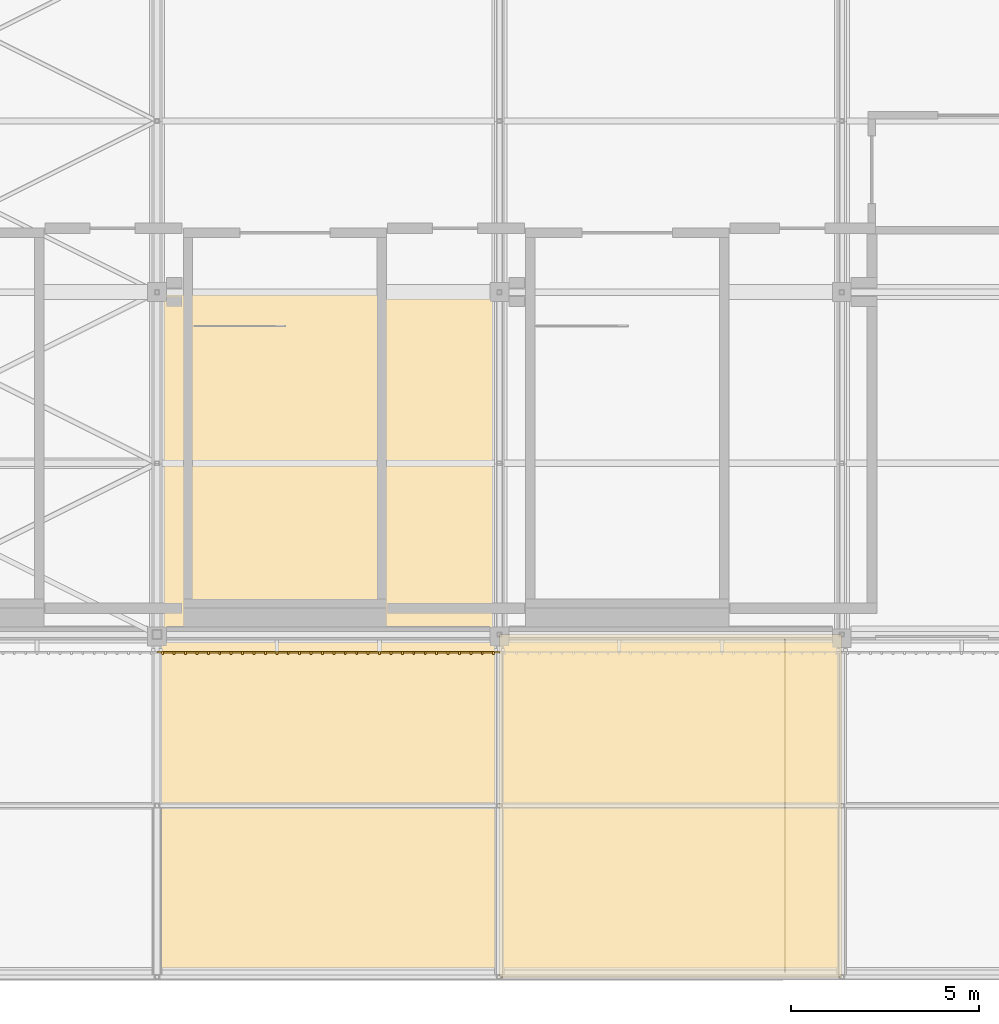
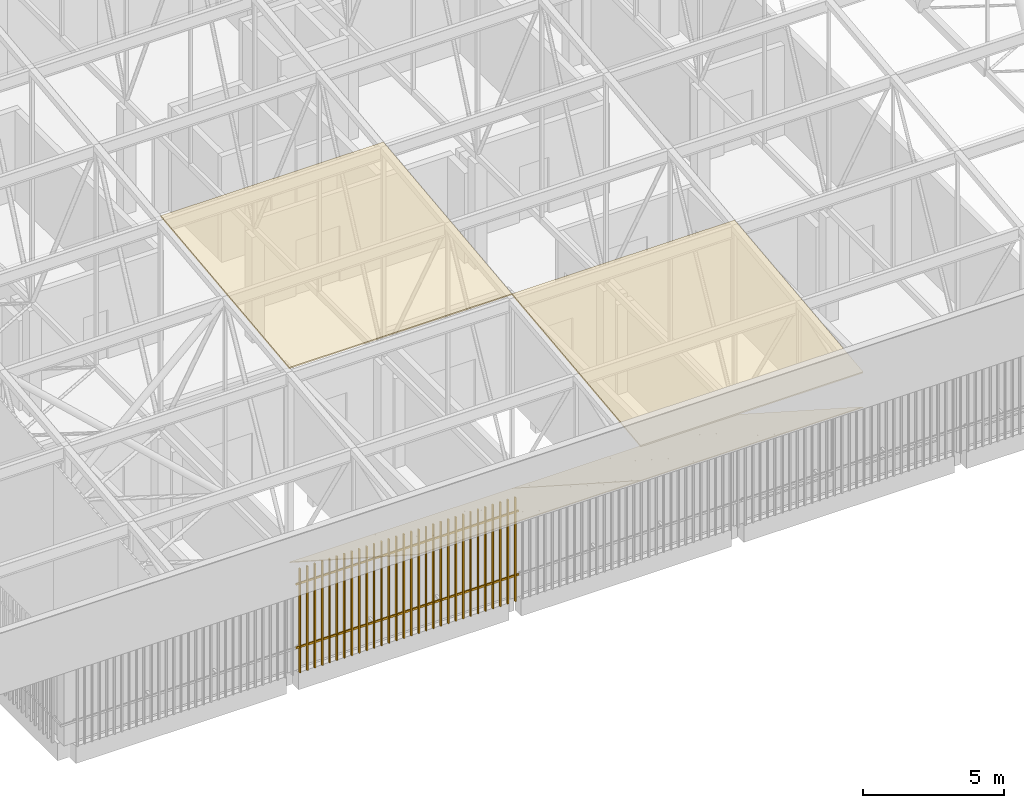
# One storey, part 457 of 500: 4 coverings, 1 shading device.
"""IFC4 building model written with IfcOpenShell, lengths in metres."""

from ifc_helpers import new_model, si_unit, direction, frame, origin, origin_2d, place, context, subcontext, project, spatial, polyline, rectangle, outline, extrude, material, layer, layer_set, type_object, element, save


model = new_model("IFC4")

# Units and contexts
model_context = context("Model", 3, precision=1e-05, world=origin(), true_north=direction((0.0, 1.0)))
body_context = subcontext(model_context, "Body", "Model", "MODEL_VIEW")
ifc_project = project(units=[si_unit("LENGTHUNIT", "METRE"), si_unit("AREAUNIT", "SQUARE_METRE"), si_unit("VOLUMEUNIT", "CUBIC_METRE"), si_unit("PLANEANGLEUNIT", "RADIAN"), si_unit("MASSUNIT", "GRAM", prefix="KILO")], contexts=[model_context])

# Site, building, storey
site_placement = place(None, origin())
site = spatial("IfcSite", under=ifc_project, at=site_placement, CompositionType="ELEMENT")
building_placement = place(site_placement, origin())
building = spatial("IfcBuilding", under=site, at=building_placement, Name="Shirokan Park Arena", CompositionType="ELEMENT")
storey_placement = place(building_placement, frame((0.0, 0.0, 29.1201171875)))
storey = spatial("IfcBuildingStorey", under=building, at=storey_placement, Name="L06", CompositionType="ELEMENT", Elevation=29.1201171875)

# Coverings
ifc_material_1 = material(Name="Bituminous roofing membrane")
ifc_layer_1 = layer(ifc_material_1, 0.010009765625, Name="Bituminous roofing membrane")
ifc_material_2 = material(Name="Mineral wool insulation")
ifc_layer_2 = layer(ifc_material_2, 0.050048828125, Name="Mineral wool insulation")
ifc_layer_set_1 = layer_set([ifc_layer_1, ifc_layer_2], Name="Bituminous roofing membrane + Mineral wool insulation")
covering_type_1 = type_object("IfcCoveringType", Name="Roofing membrane 60", PredefinedType="ROOFING", material=ifc_layer_set_1)
covering_1_placement = place(storey_placement, frame((9.10009765625, 0.0, 12.9306640625), z_axis=(0.0, -0.113549598152, 0.993532328996), x_axis=(1.0, 0.0, 0.0)))
element("IfcCovering", 1, at=covering_1_placement, inside=storey, type_object=covering_type_1, Name="Roofing", PredefinedType="ROOFING", context=body_context, shape_type="SweptSolid", body=[
    extrude(outline(polyline([(0.0, 0.0), (9.099853515625, 0.0), (9.099853515625, 9.15933723611117), (0.0, 9.15933723611117), (0.0, 0.0)])), origin(), (0.0, 0.0, -1.0), 0.06005859375),
])
covering_2_placement = place(storey_placement, frame((18.199951171875, -9.10009765625, 11.890625), z_axis=(0.0, -0.113549598152, 0.993532328996), x_axis=(1.0, 0.0, 0.0)))
element("IfcCovering", 2, at=covering_2_placement, inside=storey, type_object=covering_type_1, Name="Roofing", PredefinedType="ROOFING", context=body_context, shape_type="SweptSolid", body=[
    extrude(outline(polyline([(0.0, 0.0), (9.10009765625, 0.0), (9.10009765625, 9.15933723611117), (0.0, 9.15933723611117), (0.0, 0.0)])), origin(), (0.0, 0.0, -1.0), 0.06005859375),
])
ifc_material_3 = material(Name="Timber soffit boards (cedar)", Category="wood")
ifc_layer_3 = layer(ifc_material_3, 0.030029296875)
ifc_layer_set_2 = layer_set([ifc_layer_3], Name="Timber soffit boards (cedar) 30 mm")
covering_type_2 = type_object("IfcCoveringType", Name="Timber boarded soffit panel", PredefinedType="CLADDING", material=ifc_layer_set_2)
covering_3_placement = place(storey_placement, origin())
element("IfcCovering", 3, at=covering_3_placement, inside=storey, type_object=covering_type_2, Name="Eave soffit south bay 2", PredefinedType="CLADDING", context=body_context, shape_type="SweptSolid", body=[
    extrude(outline(polyline([(0.0, 0.0), (0.14269332184794056, 0.0), (0.14269332184794056, -9.1), (0.0, -9.1), (0.0, 0.0)])), frame((18.199951171875, -8.97998046875, 10.3037109375), z_axis=(0.0, 0.541090493936, 0.840964373426), x_axis=(0.0, -0.840964373426, 0.541090493936)), (0.0, 0.0, -1.0), 0.030029296875),
    extrude(outline(polyline([(0.0, 0.0), (0.1426933218479412, 0.0), (0.1426933218479412, -9.1), (0.0, -9.1), (0.0, 0.0)])), frame((9.10009765625, -0.1201171875, 4.60302734375), z_axis=(0.0, 0.541090493936, 0.840964373427), x_axis=(0.0, 0.840964373427, -0.541090493936)), (0.0, 0.0, -1.0), 0.030029296875),
    extrude(outline(polyline([(0.0, 0.0), (0.120000000000001, 0.0), (0.120000000000001, -10.535473996759707), (0.0, -10.535473996759707), (0.0, 0.0)])), frame((18.199951171875, -8.97998046875, 10.3037109375), z_axis=(0.0, 0.541084340558, 0.84096833258), x_axis=(-1.0, 0.0, 0.0)), (0.0, 0.0, -1.0), 0.030029296875),
    extrude(outline(polyline([(0.0, 0.0), (0.120000000000001, 0.0), (0.120000000000001, -10.535473996759707), (0.0, -10.535473996759707), (0.0, 0.0)])), frame((9.10009765625, -0.1201171875, 4.60302734375), z_axis=(0.0, 0.541084340558, 0.84096833258), x_axis=(1.0, 0.0, 0.0)), (0.0, 0.0, -1.0), 0.030029296875),
    extrude(outline(polyline([(0.0, 0.0), (10.535473996759707, 0.0), (10.535473996759707, -0.18332999999999977), (0.0, -0.18332999999999977), (0.0, 0.0)])), frame((9.219970703125, -8.97998046875, 10.3037109375), z_axis=(0.0, 0.541084340558, 0.84096833258), x_axis=(0.0, 0.84096833258, -0.541084340558)), (0.0, 0.0, -1.0), 0.030029296875),
    extrude(outline(polyline([(0.0, 0.0), (10.535473996759707, 0.0), (10.535473996759707, -0.3033400000000004), (0.0, -0.3033400000000004), (0.0, 0.0)])), frame((9.4033203125, -8.97998046875, 10.3037109375), z_axis=(0.0, 0.541084340558, 0.84096833258), x_axis=(0.0, 0.84096833258, -0.541084340558)), (0.0, 0.0, -1.0), 0.030029296875),
    extrude(outline(polyline([(0.0, 0.0), (10.535473996759707, 0.0), (10.535473996759707, -0.303329999999999), (0.0, -0.303329999999999), (0.0, 0.0)])), frame((9.706787109375, -8.97998046875, 10.3037109375), z_axis=(0.0, 0.541084340558, 0.84096833258), x_axis=(0.0, 0.84096833258, -0.541084340558)), (0.0, 0.0, -1.0), 0.030029296875),
    extrude(outline(polyline([(0.0, 0.0), (10.535473996759707, 0.0), (10.535473996759707, -0.30333000000000077), (0.0, -0.30333000000000077), (0.0, 0.0)])), frame((10.010009765625, -8.97998046875, 10.3037109375), z_axis=(0.0, 0.541084340558, 0.84096833258), x_axis=(0.0, 0.84096833258, -0.541084340558)), (0.0, 0.0, -1.0), 0.030029296875),
    extrude(outline(polyline([(0.0, 0.0), (10.535473996759707, 0.0), (10.535473996759707, -0.3033399999999986), (0.0, -0.3033399999999986), (0.0, 0.0)])), frame((10.313232421875, -8.97998046875, 10.3037109375), z_axis=(0.0, 0.541084340558, 0.84096833258), x_axis=(0.0, 0.84096833258, -0.541084340558)), (0.0, 0.0, -1.0), 0.030029296875),
    extrude(outline(polyline([(0.0, 0.0), (10.535473996759707, 0.0), (10.535473996759707, -0.30333000000000077), (0.0, -0.30333000000000077), (0.0, 0.0)])), frame((10.61669921875, -8.97998046875, 10.3037109375), z_axis=(0.0, 0.541084340558, 0.84096833258), x_axis=(0.0, 0.84096833258, -0.541084340558)), (0.0, 0.0, -1.0), 0.030029296875),
    extrude(outline(polyline([(0.0, 0.0), (10.535473996759707, 0.0), (10.535473996759707, -0.30333000000000077), (0.0, -0.30333000000000077), (0.0, 0.0)])), frame((10.919921875, -8.97998046875, 10.3037109375), z_axis=(0.0, 0.541084340558, 0.84096833258), x_axis=(0.0, 0.84096833258, -0.541084340558)), (0.0, 0.0, -1.0), 0.030029296875),
    extrude(outline(polyline([(0.0, 0.0), (10.535473996759707, 0.0), (10.535473996759707, -0.3033399999999986), (0.0, -0.3033399999999986), (0.0, 0.0)])), frame((11.223388671875, -8.97998046875, 10.3037109375), z_axis=(0.0, 0.541084340558, 0.84096833258), x_axis=(0.0, 0.84096833258, -0.541084340558)), (0.0, 0.0, -1.0), 0.030029296875),
    extrude(outline(polyline([(0.0, 0.0), (10.535473996759707, 0.0), (10.535473996759707, -0.30333000000000077), (0.0, -0.30333000000000077), (0.0, 0.0)])), frame((11.526611328125, -8.97998046875, 10.3037109375), z_axis=(0.0, 0.541084340558, 0.84096833258), x_axis=(0.0, 0.84096833258, -0.541084340558)), (0.0, 0.0, -1.0), 0.030029296875),
    extrude(outline(polyline([(0.0, 0.0), (10.535473996759707, 0.0), (10.535473996759707, -0.30333000000000077), (0.0, -0.30333000000000077), (0.0, 0.0)])), frame((11.830078125, -8.97998046875, 10.3037109375), z_axis=(0.0, 0.541084340558, 0.84096833258), x_axis=(0.0, 0.84096833258, -0.541084340558)), (0.0, 0.0, -1.0), 0.030029296875),
    extrude(outline(polyline([(0.0, 0.0), (10.535473996759707, 0.0), (10.535473996759707, -0.3033399999999986), (0.0, -0.3033399999999986), (0.0, 0.0)])), frame((12.13330078125, -8.97998046875, 10.3037109375), z_axis=(0.0, 0.541084340558, 0.84096833258), x_axis=(0.0, 0.84096833258, -0.541084340558)), (0.0, 0.0, -1.0), 0.030029296875),
    extrude(outline(polyline([(0.0, 0.0), (10.535473996759707, 0.0), (10.535473996759707, -0.30333000000000077), (0.0, -0.30333000000000077), (0.0, 0.0)])), frame((12.436767578125, -8.97998046875, 10.3037109375), z_axis=(0.0, 0.541084340558, 0.84096833258), x_axis=(0.0, 0.84096833258, -0.541084340558)), (0.0, 0.0, -1.0), 0.030029296875),
    extrude(outline(polyline([(0.0, 0.0), (10.535473996759707, 0.0), (10.535473996759707, -0.303329999999999), (0.0, -0.303329999999999), (0.0, 0.0)])), frame((12.739990234375, -8.97998046875, 10.3037109375), z_axis=(0.0, 0.541084340558, 0.84096833258), x_axis=(0.0, 0.84096833258, -0.541084340558)), (0.0, 0.0, -1.0), 0.030029296875),
    extrude(outline(polyline([(0.0, 0.0), (10.535473996759707, 0.0), (10.535473996759707, -0.3033400000000004), (0.0, -0.3033400000000004), (0.0, 0.0)])), frame((13.043212890625, -8.97998046875, 10.3037109375), z_axis=(0.0, 0.541084340558, 0.84096833258), x_axis=(0.0, 0.84096833258, -0.541084340558)), (0.0, 0.0, -1.0), 0.030029296875),
    extrude(outline(polyline([(0.0, 0.0), (10.535473996759707, 0.0), (10.535473996759707, -0.30333000000000077), (0.0, -0.30333000000000077), (0.0, 0.0)])), frame((13.3466796875, -8.97998046875, 10.3037109375), z_axis=(0.0, 0.541084340558, 0.84096833258), x_axis=(0.0, 0.84096833258, -0.541084340558)), (0.0, 0.0, -1.0), 0.030029296875),
    extrude(outline(polyline([(0.0, 0.0), (10.535473996759707, 0.0), (10.535473996759707, -0.303329999999999), (0.0, -0.303329999999999), (0.0, 0.0)])), frame((13.64990234375, -8.97998046875, 10.3037109375), z_axis=(0.0, 0.541084340558, 0.84096833258), x_axis=(0.0, 0.84096833258, -0.541084340558)), (0.0, 0.0, -1.0), 0.030029296875),
    extrude(outline(polyline([(0.0, 0.0), (10.535473996759707, 0.0), (10.535473996759707, -0.3033400000000004), (0.0, -0.3033400000000004), (0.0, 0.0)])), frame((13.953369140625, -8.97998046875, 10.3037109375), z_axis=(0.0, 0.541084340558, 0.84096833258), x_axis=(0.0, 0.84096833258, -0.541084340558)), (0.0, 0.0, -1.0), 0.030029296875),
    extrude(outline(polyline([(0.0, 0.0), (10.535473996759707, 0.0), (10.535473996759707, -0.30333000000000077), (0.0, -0.30333000000000077), (0.0, 0.0)])), frame((14.256591796875, -8.97998046875, 10.3037109375), z_axis=(0.0, 0.541084340558, 0.84096833258), x_axis=(0.0, 0.84096833258, -0.541084340558)), (0.0, 0.0, -1.0), 0.030029296875),
    extrude(outline(polyline([(0.0, 0.0), (10.535473996759707, 0.0), (10.535473996759707, -0.303329999999999), (0.0, -0.303329999999999), (0.0, 0.0)])), frame((14.56005859375, -8.97998046875, 10.3037109375), z_axis=(0.0, 0.541084340558, 0.84096833258), x_axis=(0.0, 0.84096833258, -0.541084340558)), (0.0, 0.0, -1.0), 0.030029296875),
    extrude(outline(polyline([(0.0, 0.0), (10.535473996759707, 0.0), (10.535473996759707, -0.3033400000000004), (0.0, -0.3033400000000004), (0.0, 0.0)])), frame((14.86328125, -8.97998046875, 10.3037109375), z_axis=(0.0, 0.541084340558, 0.84096833258), x_axis=(0.0, 0.84096833258, -0.541084340558)), (0.0, 0.0, -1.0), 0.030029296875),
    extrude(outline(polyline([(0.0, 0.0), (10.535473996759707, 0.0), (10.535473996759707, -0.30333000000000077), (0.0, -0.30333000000000077), (0.0, 0.0)])), frame((15.166748046875, -8.97998046875, 10.3037109375), z_axis=(0.0, 0.541084340558, 0.84096833258), x_axis=(0.0, 0.84096833258, -0.541084340558)), (0.0, 0.0, -1.0), 0.030029296875),
    extrude(outline(polyline([(0.0, 0.0), (10.535473996759707, 0.0), (10.535473996759707, -0.303329999999999), (0.0, -0.303329999999999), (0.0, 0.0)])), frame((15.469970703125, -8.97998046875, 10.3037109375), z_axis=(0.0, 0.541084340558, 0.84096833258), x_axis=(0.0, 0.84096833258, -0.541084340558)), (0.0, 0.0, -1.0), 0.030029296875),
    extrude(outline(polyline([(0.0, 0.0), (10.535473996759707, 0.0), (10.535473996759707, -0.3033400000000004), (0.0, -0.3033400000000004), (0.0, 0.0)])), frame((15.7734375, -8.97998046875, 10.3037109375), z_axis=(0.0, 0.541084340558, 0.84096833258), x_axis=(0.0, 0.84096833258, -0.541084340558)), (0.0, 0.0, -1.0), 0.030029296875),
    extrude(outline(polyline([(0.0, 0.0), (10.535473996759707, 0.0), (10.535473996759707, -0.303329999999999), (0.0, -0.303329999999999), (0.0, 0.0)])), frame((16.07666015625, -8.97998046875, 10.3037109375), z_axis=(0.0, 0.541084340558, 0.84096833258), x_axis=(0.0, 0.84096833258, -0.541084340558)), (0.0, 0.0, -1.0), 0.030029296875),
    extrude(outline(polyline([(0.0, 0.0), (10.535473996759707, 0.0), (10.535473996759707, -0.30333000000000254), (0.0, -0.30333000000000254), (0.0, 0.0)])), frame((16.3798828125, -8.97998046875, 10.3037109375), z_axis=(0.0, 0.541084340558, 0.84096833258), x_axis=(0.0, 0.84096833258, -0.541084340558)), (0.0, 0.0, -1.0), 0.030029296875),
    extrude(outline(polyline([(0.0, 0.0), (10.535473996759707, 0.0), (10.535473996759707, -0.3033399999999986), (0.0, -0.3033399999999986), (0.0, 0.0)])), frame((16.683349609375, -8.97998046875, 10.3037109375), z_axis=(0.0, 0.541084340558, 0.84096833258), x_axis=(0.0, 0.84096833258, -0.541084340558)), (0.0, 0.0, -1.0), 0.030029296875),
    extrude(outline(polyline([(0.0, 0.0), (10.535473996759707, 0.0), (10.535473996759707, -0.303329999999999), (0.0, -0.303329999999999), (0.0, 0.0)])), frame((16.986572265625, -8.97998046875, 10.3037109375), z_axis=(0.0, 0.541084340558, 0.84096833258), x_axis=(0.0, 0.84096833258, -0.541084340558)), (0.0, 0.0, -1.0), 0.030029296875),
    extrude(outline(polyline([(0.0, 0.0), (10.535473996759707, 0.0), (10.535473996759707, -0.30333000000000254), (0.0, -0.30333000000000254), (0.0, 0.0)])), frame((17.2900390625, -8.97998046875, 10.3037109375), z_axis=(0.0, 0.541084340558, 0.84096833258), x_axis=(0.0, 0.84096833258, -0.541084340558)), (0.0, 0.0, -1.0), 0.030029296875),
    extrude(outline(polyline([(0.0, 0.0), (10.535473996759707, 0.0), (10.535473996759707, -0.3033399999999986), (0.0, -0.3033399999999986), (0.0, 0.0)])), frame((17.59326171875, -8.97998046875, 10.3037109375), z_axis=(0.0, 0.541084340558, 0.84096833258), x_axis=(0.0, 0.84096833258, -0.541084340558)), (0.0, 0.0, -1.0), 0.030029296875),
    extrude(outline(polyline([(0.0, 0.0), (0.183329999999998, 0.0), (0.183329999999998, -10.535473996759709), (0.0, -10.535473996759709), (0.0, 0.0)])), frame((18.080078125, -8.97998046875, 10.3037109375), z_axis=(0.0, 0.541084340558, 0.84096833258), x_axis=(-1.0, 0.0, 0.0)), (0.0, 0.0, -1.0), 0.030029296875),
])
covering_4_placement = place(storey_placement, origin())
element("IfcCovering", 4, at=covering_4_placement, inside=storey, type_object=covering_type_2, Name="Eave soffit south bay 3", PredefinedType="CLADDING", context=body_context, shape_type="SweptSolid", body=[
    extrude(outline(polyline([(0.0, 0.0), (0.14269332184794056, 0.0), (0.14269332184794056, -9.100000000000003), (0.0, -9.100000000000003), (0.0, 0.0)])), frame((27.300048828125, -8.97998046875, 10.3037109375), z_axis=(0.0, 0.541090493936, 0.840964373427), x_axis=(0.0, -0.840964373427, 0.541090493936)), (0.0, 0.0, -1.0), 0.030029296875),
    extrude(outline(polyline([(0.0, 0.0), (0.1426933218479412, 0.0), (0.1426933218479412, -9.100000000000001), (0.0, -9.100000000000001), (0.0, 0.0)])), frame((18.199951171875, -0.1201171875, 4.60302734375), z_axis=(0.0, 0.541090493936, 0.840964373427), x_axis=(0.0, 0.840964373427, -0.541090493936)), (0.0, 0.0, -1.0), 0.030029296875),
    extrude(outline(polyline([(0.0, 0.0), (0.120000000000001, 0.0), (0.120000000000001, -10.535473996759709), (0.0, -10.535473996759709), (0.0, 0.0)])), frame((27.300048828125, -8.97998046875, 10.3037109375), z_axis=(0.0, 0.541084340558, 0.84096833258), x_axis=(-1.0, 0.0, 0.0)), (0.0, 0.0, -1.0), 0.030029296875),
    extrude(outline(polyline([(0.0, 0.0), (0.120000000000001, 0.0), (0.120000000000001, -10.535473996759709), (0.0, -10.535473996759709), (0.0, 0.0)])), frame((18.199951171875, -0.1201171875, 4.60302734375), z_axis=(0.0, 0.541084340558, 0.84096833258), x_axis=(1.0, 0.0, 0.0)), (0.0, 0.0, -1.0), 0.030029296875),
    extrude(outline(polyline([(0.0, 0.0), (10.535473996759709, 0.0), (10.535473996759709, -0.183329999999998), (0.0, -0.183329999999998), (0.0, 0.0)])), frame((18.320068359375, -8.97998046875, 10.3037109375), z_axis=(0.0, 0.541084340558, 0.84096833258), x_axis=(0.0, 0.84096833258, -0.541084340558)), (0.0, 0.0, -1.0), 0.030029296875),
    extrude(outline(polyline([(0.0, 0.0), (10.535473996759707, 0.0), (10.535473996759707, -0.30334000000000216), (0.0, -0.30334000000000216), (0.0, 0.0)])), frame((18.50341796875, -8.97998046875, 10.3037109375), z_axis=(0.0, 0.541084340558, 0.84096833258), x_axis=(0.0, 0.84096833258, -0.541084340558)), (0.0, 0.0, -1.0), 0.030029296875),
    extrude(outline(polyline([(0.0, 0.0), (10.535473996759707, 0.0), (10.535473996759707, -0.303329999999999), (0.0, -0.303329999999999), (0.0, 0.0)])), frame((18.806640625, -8.97998046875, 10.3037109375), z_axis=(0.0, 0.541084340558, 0.84096833258), x_axis=(0.0, 0.84096833258, -0.541084340558)), (0.0, 0.0, -1.0), 0.030029296875),
    extrude(outline(polyline([(0.0, 0.0), (10.535473996759707, 0.0), (10.535473996759707, -0.303329999999999), (0.0, -0.303329999999999), (0.0, 0.0)])), frame((19.110107421875, -8.97998046875, 10.3037109375), z_axis=(0.0, 0.541084340558, 0.84096833258), x_axis=(0.0, 0.84096833258, -0.541084340558)), (0.0, 0.0, -1.0), 0.030029296875),
    extrude(outline(polyline([(0.0, 0.0), (10.535473996759707, 0.0), (10.535473996759707, -0.30334000000000216), (0.0, -0.30334000000000216), (0.0, 0.0)])), frame((19.413330078125, -8.97998046875, 10.3037109375), z_axis=(0.0, 0.541084340558, 0.84096833258), x_axis=(0.0, 0.84096833258, -0.541084340558)), (0.0, 0.0, -1.0), 0.030029296875),
    extrude(outline(polyline([(0.0, 0.0), (10.535473996759707, 0.0), (10.535473996759707, -0.303329999999999), (0.0, -0.303329999999999), (0.0, 0.0)])), frame((19.716552734375, -8.97998046875, 10.3037109375), z_axis=(0.0, 0.541084340558, 0.84096833258), x_axis=(0.0, 0.84096833258, -0.541084340558)), (0.0, 0.0, -1.0), 0.030029296875),
    extrude(outline(polyline([(0.0, 0.0), (10.535473996759707, 0.0), (10.535473996759707, -0.303329999999999), (0.0, -0.303329999999999), (0.0, 0.0)])), frame((20.02001953125, -8.97998046875, 10.3037109375), z_axis=(0.0, 0.541084340558, 0.84096833258), x_axis=(0.0, 0.84096833258, -0.541084340558)), (0.0, 0.0, -1.0), 0.030029296875),
    extrude(outline(polyline([(0.0, 0.0), (10.535473996759707, 0.0), (10.535473996759707, -0.30334000000000216), (0.0, -0.30334000000000216), (0.0, 0.0)])), frame((20.3232421875, -8.97998046875, 10.3037109375), z_axis=(0.0, 0.541084340558, 0.84096833258), x_axis=(0.0, 0.84096833258, -0.541084340558)), (0.0, 0.0, -1.0), 0.030029296875),
    extrude(outline(polyline([(0.0, 0.0), (10.535473996759707, 0.0), (10.535473996759707, -0.303329999999999), (0.0, -0.303329999999999), (0.0, 0.0)])), frame((20.626708984375, -8.97998046875, 10.3037109375), z_axis=(0.0, 0.541084340558, 0.84096833258), x_axis=(0.0, 0.84096833258, -0.541084340558)), (0.0, 0.0, -1.0), 0.030029296875),
    extrude(outline(polyline([(0.0, 0.0), (10.535473996759707, 0.0), (10.535473996759707, -0.303329999999999), (0.0, -0.303329999999999), (0.0, 0.0)])), frame((20.929931640625, -8.97998046875, 10.3037109375), z_axis=(0.0, 0.541084340558, 0.84096833258), x_axis=(0.0, 0.84096833258, -0.541084340558)), (0.0, 0.0, -1.0), 0.030029296875),
    extrude(outline(polyline([(0.0, 0.0), (10.535473996759707, 0.0), (10.535473996759707, -0.30334000000000216), (0.0, -0.30334000000000216), (0.0, 0.0)])), frame((21.2333984375, -8.97998046875, 10.3037109375), z_axis=(0.0, 0.541084340558, 0.84096833258), x_axis=(0.0, 0.84096833258, -0.541084340558)), (0.0, 0.0, -1.0), 0.030029296875),
    extrude(outline(polyline([(0.0, 0.0), (10.535473996759707, 0.0), (10.535473996759707, -0.303329999999999), (0.0, -0.303329999999999), (0.0, 0.0)])), frame((21.53662109375, -8.97998046875, 10.3037109375), z_axis=(0.0, 0.541084340558, 0.84096833258), x_axis=(0.0, 0.84096833258, -0.541084340558)), (0.0, 0.0, -1.0), 0.030029296875),
    extrude(outline(polyline([(0.0, 0.0), (10.535473996759707, 0.0), (10.535473996759707, -0.303329999999999), (0.0, -0.303329999999999), (0.0, 0.0)])), frame((21.840087890625, -8.97998046875, 10.3037109375), z_axis=(0.0, 0.541084340558, 0.84096833258), x_axis=(0.0, 0.84096833258, -0.541084340558)), (0.0, 0.0, -1.0), 0.030029296875),
    extrude(outline(polyline([(0.0, 0.0), (10.535473996759707, 0.0), (10.535473996759707, -0.30334000000000216), (0.0, -0.30334000000000216), (0.0, 0.0)])), frame((22.143310546875, -8.97998046875, 10.3037109375), z_axis=(0.0, 0.541084340558, 0.84096833258), x_axis=(0.0, 0.84096833258, -0.541084340558)), (0.0, 0.0, -1.0), 0.030029296875),
    extrude(outline(polyline([(0.0, 0.0), (10.535473996759707, 0.0), (10.535473996759707, -0.303329999999999), (0.0, -0.303329999999999), (0.0, 0.0)])), frame((22.44677734375, -8.97998046875, 10.3037109375), z_axis=(0.0, 0.541084340558, 0.84096833258), x_axis=(0.0, 0.84096833258, -0.541084340558)), (0.0, 0.0, -1.0), 0.030029296875),
    extrude(outline(polyline([(0.0, 0.0), (10.535473996759707, 0.0), (10.535473996759707, -0.303329999999999), (0.0, -0.303329999999999), (0.0, 0.0)])), frame((22.75, -8.97998046875, 10.3037109375), z_axis=(0.0, 0.541084340558, 0.84096833258), x_axis=(0.0, 0.84096833258, -0.541084340558)), (0.0, 0.0, -1.0), 0.030029296875),
    extrude(outline(polyline([(0.0, 0.0), (10.535473996759707, 0.0), (10.535473996759707, -0.30334000000000216), (0.0, -0.30334000000000216), (0.0, 0.0)])), frame((23.05322265625, -8.97998046875, 10.3037109375), z_axis=(0.0, 0.541084340558, 0.84096833258), x_axis=(0.0, 0.84096833258, -0.541084340558)), (0.0, 0.0, -1.0), 0.030029296875),
    extrude(outline(polyline([(0.0, 0.0), (10.535473996759707, 0.0), (10.535473996759707, -0.303329999999999), (0.0, -0.303329999999999), (0.0, 0.0)])), frame((23.356689453125, -8.97998046875, 10.3037109375), z_axis=(0.0, 0.541084340558, 0.84096833258), x_axis=(0.0, 0.84096833258, -0.541084340558)), (0.0, 0.0, -1.0), 0.030029296875),
    extrude(outline(polyline([(0.0, 0.0), (10.535473996759707, 0.0), (10.535473996759707, -0.303329999999999), (0.0, -0.303329999999999), (0.0, 0.0)])), frame((23.659912109375, -8.97998046875, 10.3037109375), z_axis=(0.0, 0.541084340558, 0.84096833258), x_axis=(0.0, 0.84096833258, -0.541084340558)), (0.0, 0.0, -1.0), 0.030029296875),
    extrude(outline(polyline([(0.0, 0.0), (10.535473996759707, 0.0), (10.535473996759707, -0.30334000000000216), (0.0, -0.30334000000000216), (0.0, 0.0)])), frame((23.96337890625, -8.97998046875, 10.3037109375), z_axis=(0.0, 0.541084340558, 0.84096833258), x_axis=(0.0, 0.84096833258, -0.541084340558)), (0.0, 0.0, -1.0), 0.030029296875),
    extrude(outline(polyline([(0.0, 0.0), (10.535473996759707, 0.0), (10.535473996759707, -0.303329999999999), (0.0, -0.303329999999999), (0.0, 0.0)])), frame((24.2666015625, -8.97998046875, 10.3037109375), z_axis=(0.0, 0.541084340558, 0.84096833258), x_axis=(0.0, 0.84096833258, -0.541084340558)), (0.0, 0.0, -1.0), 0.030029296875),
    extrude(outline(polyline([(0.0, 0.0), (10.535473996759707, 0.0), (10.535473996759707, -0.303329999999999), (0.0, -0.303329999999999), (0.0, 0.0)])), frame((24.570068359375, -8.97998046875, 10.3037109375), z_axis=(0.0, 0.541084340558, 0.84096833258), x_axis=(0.0, 0.84096833258, -0.541084340558)), (0.0, 0.0, -1.0), 0.030029296875),
    extrude(outline(polyline([(0.0, 0.0), (10.535473996759707, 0.0), (10.535473996759707, -0.30334000000000216), (0.0, -0.30334000000000216), (0.0, 0.0)])), frame((24.873291015625, -8.97998046875, 10.3037109375), z_axis=(0.0, 0.541084340558, 0.84096833258), x_axis=(0.0, 0.84096833258, -0.541084340558)), (0.0, 0.0, -1.0), 0.030029296875),
    extrude(outline(polyline([(0.0, 0.0), (10.535473996759707, 0.0), (10.535473996759707, -0.303329999999999), (0.0, -0.303329999999999), (0.0, 0.0)])), frame((25.1767578125, -8.97998046875, 10.3037109375), z_axis=(0.0, 0.541084340558, 0.84096833258), x_axis=(0.0, 0.84096833258, -0.541084340558)), (0.0, 0.0, -1.0), 0.030029296875),
    extrude(outline(polyline([(0.0, 0.0), (10.535473996759707, 0.0), (10.535473996759707, -0.303329999999999), (0.0, -0.303329999999999), (0.0, 0.0)])), frame((25.47998046875, -8.97998046875, 10.3037109375), z_axis=(0.0, 0.541084340558, 0.84096833258), x_axis=(0.0, 0.84096833258, -0.541084340558)), (0.0, 0.0, -1.0), 0.030029296875),
    extrude(outline(polyline([(0.0, 0.0), (10.535473996759707, 0.0), (10.535473996759707, -0.30334000000000216), (0.0, -0.30334000000000216), (0.0, 0.0)])), frame((25.783447265625, -8.97998046875, 10.3037109375), z_axis=(0.0, 0.541084340558, 0.84096833258), x_axis=(0.0, 0.84096833258, -0.541084340558)), (0.0, 0.0, -1.0), 0.030029296875),
    extrude(outline(polyline([(0.0, 0.0), (10.535473996759707, 0.0), (10.535473996759707, -0.303329999999999), (0.0, -0.303329999999999), (0.0, 0.0)])), frame((26.086669921875, -8.97998046875, 10.3037109375), z_axis=(0.0, 0.541084340558, 0.84096833258), x_axis=(0.0, 0.84096833258, -0.541084340558)), (0.0, 0.0, -1.0), 0.030029296875),
    extrude(outline(polyline([(0.0, 0.0), (10.535473996759707, 0.0), (10.535473996759707, -0.303329999999999), (0.0, -0.303329999999999), (0.0, 0.0)])), frame((26.389892578125, -8.97998046875, 10.3037109375), z_axis=(0.0, 0.541084340558, 0.84096833258), x_axis=(0.0, 0.84096833258, -0.541084340558)), (0.0, 0.0, -1.0), 0.030029296875),
    extrude(outline(polyline([(0.0, 0.0), (10.535473996759707, 0.0), (10.535473996759707, -0.30334000000000216), (0.0, -0.30334000000000216), (0.0, 0.0)])), frame((26.693359375, -8.97998046875, 10.3037109375), z_axis=(0.0, 0.541084340558, 0.84096833258), x_axis=(0.0, 0.84096833258, -0.541084340558)), (0.0, 0.0, -1.0), 0.030029296875),
    extrude(outline(polyline([(0.0, 0.0), (0.183329999999998, 0.0), (0.183329999999998, -10.535473996759709), (0.0, -10.535473996759709), (0.0, 0.0)])), frame((27.179931640625, -8.97998046875, 10.3037109375), z_axis=(0.0, 0.541084340558, 0.84096833258), x_axis=(-1.0, 0.0, 0.0)), (0.0, 0.0, -1.0), 0.030029296875),
])

# Shading device
ifc_material_4 = material(Name="Timber louvre veil (cedar)", Category="wood")
shading_device_type = type_object("IfcShadingDeviceType", Name="Timber louvre veil panel", PredefinedType="JALOUSIE", material=ifc_material_4)
shading_device_placement = place(storey_placement, origin())
element("IfcShadingDevice", 5, at=shading_device_placement, inside=storey, type_object=shading_device_type, Name="Timber louvre veil south bay 2 L06", PredefinedType="JALOUSIE", context=body_context, shape_type="SweptSolid", body=[
    extrude(rectangle(XDim=0.050048828125, YDim=0.080078125, at=origin_2d()), frame((9.251708984375, -0.485107421875, 0.0), z_axis=(0.0, 0.0, 1.0), x_axis=(1.0, 0.0, 0.0)), (0.0, 0.0, 1.0), 4.5),
    extrude(rectangle(XDim=0.050048828125, YDim=0.080078125, at=origin_2d()), frame((9.554931640625, -0.485107421875, 0.0), z_axis=(0.0, 0.0, 1.0), x_axis=(1.0, 0.0, 0.0)), (0.0, 0.0, 1.0), 4.5),
    extrude(rectangle(XDim=0.050048828125, YDim=0.080078125, at=origin_2d()), frame((9.8583984375, -0.485107421875, 0.0), z_axis=(0.0, 0.0, 1.0), x_axis=(1.0, 0.0, 0.0)), (0.0, 0.0, 1.0), 4.5),
    extrude(rectangle(XDim=0.050048828125, YDim=0.080078125, at=origin_2d()), frame((10.16162109375, -0.485107421875, 0.0), z_axis=(0.0, 0.0, 1.0), x_axis=(1.0, 0.0, 0.0)), (0.0, 0.0, 1.0), 4.5),
    extrude(rectangle(XDim=0.050048828125, YDim=0.080078125, at=origin_2d()), frame((10.465087890625, -0.485107421875, 0.0), z_axis=(0.0, 0.0, 1.0), x_axis=(1.0, 0.0, 0.0)), (0.0, 0.0, 1.0), 4.5),
    extrude(rectangle(XDim=0.050048828125, YDim=0.080078125, at=origin_2d()), frame((10.768310546875, -0.485107421875, 0.0), z_axis=(0.0, 0.0, 1.0), x_axis=(1.0, 0.0, 0.0)), (0.0, 0.0, 1.0), 4.5),
    extrude(rectangle(XDim=0.050048828125, YDim=0.080078125, at=origin_2d()), frame((11.07177734375, -0.485107421875, 0.0), z_axis=(0.0, 0.0, 1.0), x_axis=(1.0, 0.0, 0.0)), (0.0, 0.0, 1.0), 4.5),
    extrude(rectangle(XDim=0.050048828125, YDim=0.080078125, at=origin_2d()), frame((11.375, -0.485107421875, 0.0), z_axis=(0.0, 0.0, 1.0), x_axis=(1.0, 0.0, 0.0)), (0.0, 0.0, 1.0), 4.5),
    extrude(rectangle(XDim=0.050048828125, YDim=0.080078125, at=origin_2d()), frame((11.67822265625, -0.485107421875, 0.0), z_axis=(0.0, 0.0, 1.0), x_axis=(1.0, 0.0, 0.0)), (0.0, 0.0, 1.0), 4.5),
    extrude(rectangle(XDim=0.050048828125, YDim=0.080078125, at=origin_2d()), frame((11.981689453125, -0.485107421875, 0.0), z_axis=(0.0, 0.0, 1.0), x_axis=(1.0, 0.0, 0.0)), (0.0, 0.0, 1.0), 4.5),
    extrude(rectangle(XDim=0.050048828125, YDim=0.080078125, at=origin_2d()), frame((12.284912109375, -0.485107421875, 0.0), z_axis=(0.0, 0.0, 1.0), x_axis=(1.0, 0.0, 0.0)), (0.0, 0.0, 1.0), 4.5),
    extrude(rectangle(XDim=0.050048828125, YDim=0.080078125, at=origin_2d()), frame((12.58837890625, -0.485107421875, 0.0), z_axis=(0.0, 0.0, 1.0), x_axis=(1.0, 0.0, 0.0)), (0.0, 0.0, 1.0), 4.5),
    extrude(rectangle(XDim=0.050048828125, YDim=0.080078125, at=origin_2d()), frame((12.8916015625, -0.485107421875, 0.0), z_axis=(0.0, 0.0, 1.0), x_axis=(1.0, 0.0, 0.0)), (0.0, 0.0, 1.0), 4.5),
    extrude(rectangle(XDim=0.050048828125, YDim=0.080078125, at=origin_2d()), frame((13.195068359375, -0.485107421875, 0.0), z_axis=(0.0, 0.0, 1.0), x_axis=(1.0, 0.0, 0.0)), (0.0, 0.0, 1.0), 4.5),
    extrude(rectangle(XDim=0.050048828125, YDim=0.080078125, at=origin_2d()), frame((13.498291015625, -0.485107421875, 0.0), z_axis=(0.0, 0.0, 1.0), x_axis=(1.0, 0.0, 0.0)), (0.0, 0.0, 1.0), 4.5),
    extrude(rectangle(XDim=0.050048828125, YDim=0.080078125, at=origin_2d()), frame((13.8017578125, -0.485107421875, 0.0), z_axis=(0.0, 0.0, 1.0), x_axis=(1.0, 0.0, 0.0)), (0.0, 0.0, 1.0), 4.5),
    extrude(rectangle(XDim=0.050048828125, YDim=0.080078125, at=origin_2d()), frame((14.10498046875, -0.485107421875, 0.0), z_axis=(0.0, 0.0, 1.0), x_axis=(1.0, 0.0, 0.0)), (0.0, 0.0, 1.0), 4.5),
    extrude(rectangle(XDim=0.050048828125, YDim=0.080078125, at=origin_2d()), frame((14.408447265625, -0.485107421875, 0.0), z_axis=(0.0, 0.0, 1.0), x_axis=(1.0, 0.0, 0.0)), (0.0, 0.0, 1.0), 4.5),
    extrude(rectangle(XDim=0.050048828125, YDim=0.080078125, at=origin_2d()), frame((14.711669921875, -0.485107421875, 0.0), z_axis=(0.0, 0.0, 1.0), x_axis=(1.0, 0.0, 0.0)), (0.0, 0.0, 1.0), 4.5),
    extrude(rectangle(XDim=0.050048828125, YDim=0.080078125, at=origin_2d()), frame((15.014892578125, -0.485107421875, 0.0), z_axis=(0.0, 0.0, 1.0), x_axis=(1.0, 0.0, 0.0)), (0.0, 0.0, 1.0), 4.5),
    extrude(rectangle(XDim=0.050048828125, YDim=0.080078125, at=origin_2d()), frame((15.318359375, -0.485107421875, 0.0), z_axis=(0.0, 0.0, 1.0), x_axis=(1.0, 0.0, 0.0)), (0.0, 0.0, 1.0), 4.5),
    extrude(rectangle(XDim=0.050048828125, YDim=0.080078125, at=origin_2d()), frame((15.62158203125, -0.485107421875, 0.0), z_axis=(0.0, 0.0, 1.0), x_axis=(1.0, 0.0, 0.0)), (0.0, 0.0, 1.0), 4.5),
    extrude(rectangle(XDim=0.050048828125, YDim=0.080078125, at=origin_2d()), frame((15.925048828125, -0.485107421875, 0.0), z_axis=(0.0, 0.0, 1.0), x_axis=(1.0, 0.0, 0.0)), (0.0, 0.0, 1.0), 4.5),
    extrude(rectangle(XDim=0.050048828125, YDim=0.080078125, at=origin_2d()), frame((16.228271484375, -0.485107421875, 0.0), z_axis=(0.0, 0.0, 1.0), x_axis=(1.0, 0.0, 0.0)), (0.0, 0.0, 1.0), 4.5),
    extrude(rectangle(XDim=0.050048828125, YDim=0.080078125, at=origin_2d()), frame((16.53173828125, -0.485107421875, 0.0), z_axis=(0.0, 0.0, 1.0), x_axis=(1.0, 0.0, 0.0)), (0.0, 0.0, 1.0), 4.5),
    extrude(rectangle(XDim=0.050048828125, YDim=0.080078125, at=origin_2d()), frame((16.8349609375, -0.485107421875, 0.0), z_axis=(0.0, 0.0, 1.0), x_axis=(1.0, 0.0, 0.0)), (0.0, 0.0, 1.0), 4.5),
    extrude(rectangle(XDim=0.050048828125, YDim=0.080078125, at=origin_2d()), frame((17.138427734375, -0.485107421875, 0.0), z_axis=(0.0, 0.0, 1.0), x_axis=(1.0, 0.0, 0.0)), (0.0, 0.0, 1.0), 4.5),
    extrude(rectangle(XDim=0.050048828125, YDim=0.080078125, at=origin_2d()), frame((17.441650390625, -0.485107421875, 0.0), z_axis=(0.0, 0.0, 1.0), x_axis=(1.0, 0.0, 0.0)), (0.0, 0.0, 1.0), 4.5),
    extrude(rectangle(XDim=0.050048828125, YDim=0.080078125, at=origin_2d()), frame((17.7451171875, -0.485107421875, 0.0), z_axis=(0.0, 0.0, 1.0), x_axis=(1.0, 0.0, 0.0)), (0.0, 0.0, 1.0), 4.5),
    extrude(rectangle(XDim=0.050048828125, YDim=0.080078125, at=origin_2d()), frame((18.04833984375, -0.485107421875, 0.0), z_axis=(0.0, 0.0, 1.0), x_axis=(1.0, 0.0, 0.0)), (0.0, 0.0, 1.0), 4.5),
    extrude(rectangle(XDim=9.10009765625, YDim=0.050048828125, at=origin_2d()), frame((13.64990234375, -0.469970703125, 1.059814453125), z_axis=(0.0, 0.0, 1.0), x_axis=(1.0, 0.0, 0.0)), (0.0, 0.0, 1.0), 0.080078125),
    extrude(rectangle(XDim=9.10009765625, YDim=0.050048828125, at=origin_2d()), frame((13.64990234375, -0.469970703125, 3.809814453125), z_axis=(0.0, 0.0, 1.0), x_axis=(1.0, 0.0, 0.0)), (0.0, 0.0, 1.0), 0.080078125),
])

save(model, "model.ifc")
